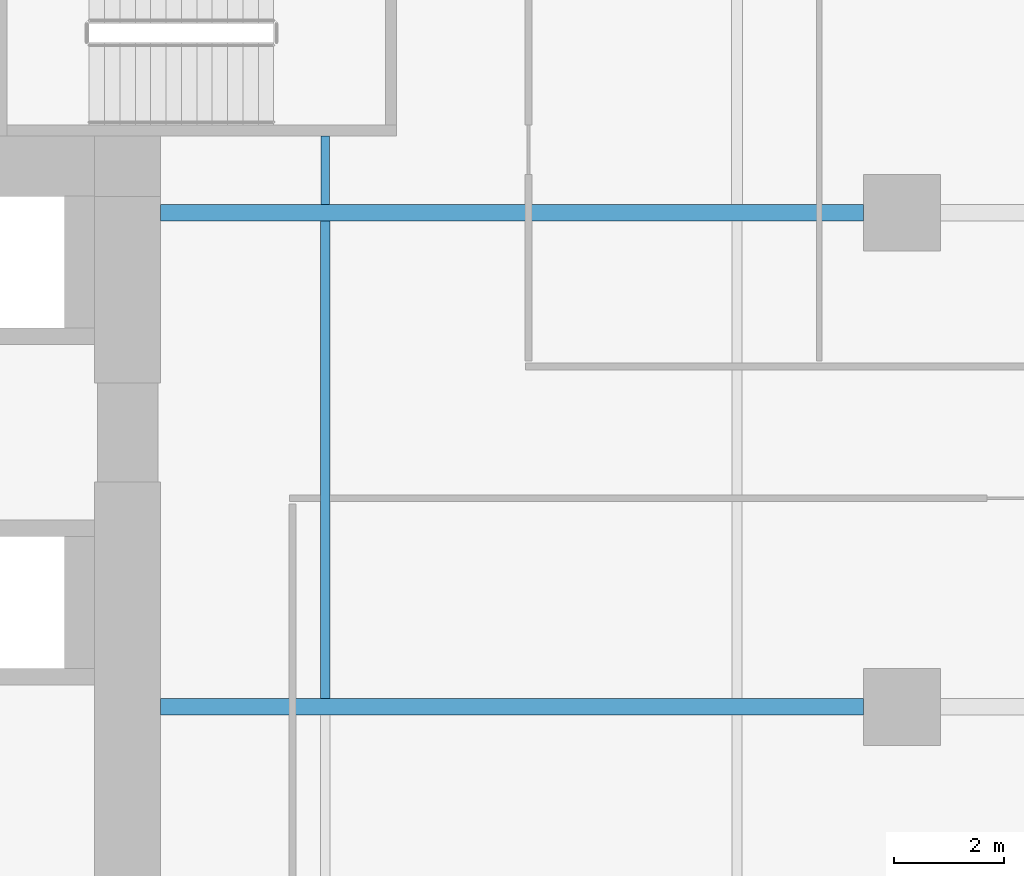
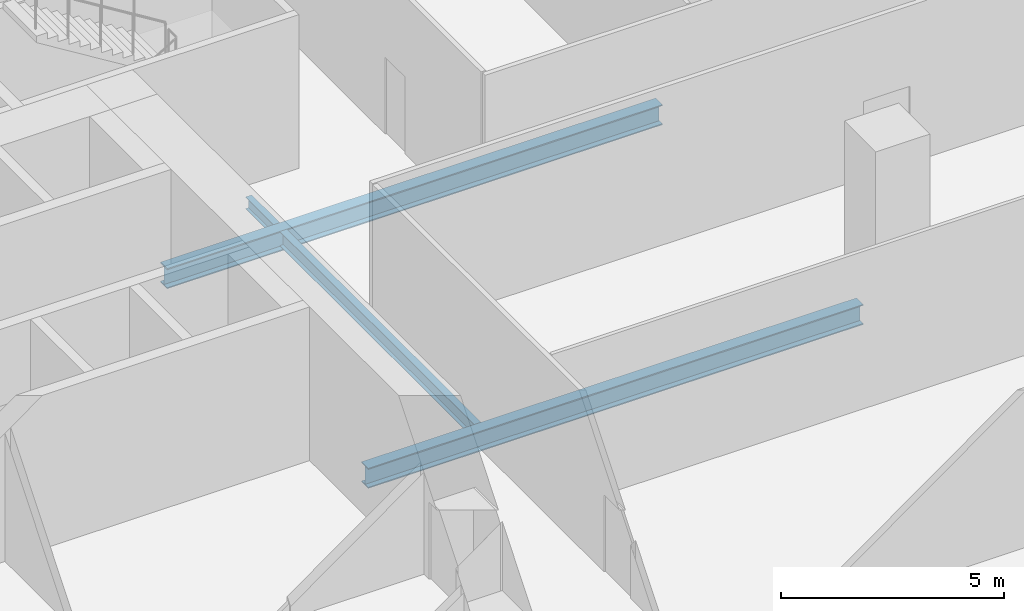
# One storey, part 13 of 32: 4 beams.
"""IFC4 building model written with IfcOpenShell, lengths in metres."""

from ifc_helpers import new_model, si_unit, direction, frame, origin, origin_2d, place, context, subcontext, project, spatial, i_section, extrude, source, transform, mapped, material, material_profile, profile_set, type_object, element, save


model = new_model("IFC4")

# Units and contexts
model_context = context("Model", 3, precision=1e-05, world=origin(), true_north=direction((0.0, 1.0)))
body_context = subcontext(model_context, "Body", "Model", "MODEL_VIEW")
ifc_project = project(units=[si_unit("LENGTHUNIT", "METRE"), si_unit("AREAUNIT", "SQUARE_METRE"), si_unit("VOLUMEUNIT", "CUBIC_METRE"), si_unit("PLANEANGLEUNIT", "RADIAN"), si_unit("MASSUNIT", "GRAM", prefix="KILO")], contexts=[model_context])

# Site, building, storey
site_placement = place(None, origin())
site = spatial("IfcSite", under=ifc_project, at=site_placement, CompositionType="ELEMENT")
building_placement = place(site_placement, origin())
building = spatial("IfcBuilding", under=site, at=building_placement, Name="Khomas Fold Tower", CompositionType="ELEMENT")
storey_placement = place(building_placement, frame((0.0, 0.0, 64.5)))
storey = spatial("IfcBuildingStorey", under=building, at=storey_placement, Name="L13", CompositionType="ELEMENT", Elevation=64.5)

# Beams
ifc_material_1 = material(Name="Steel S355", Category="steel")
ifc_material_profile_1 = material_profile(ifc_material_1, i_section(OverallWidth=0.300048828125, OverallDepth=0.550048828125, WebThickness=0.014892578125, FlangeThickness=0.029052734375, at=origin_2d()), Name="HE 550 B")
ifc_profile_set_1 = profile_set([ifc_material_profile_1], Name="Steel S355")
beam_type_1 = type_object("IfcBeamType", Name="HE 550 B beam GB4", PredefinedType="BEAM", material=ifc_profile_set_1)
shared_shape_1 = source(origin(), body_context, "Body", "SweptSolid", [
    extrude(i_section(OverallWidth=0.300048828125, OverallDepth=0.550048828125, WebThickness=0.014892578125, FlangeThickness=0.029052734375, at=origin_2d()), origin(), (0.0, 0.0, 1.0), 12.800048828125),
])
for number, where, z_axis, x_axis, name in (
    (1, (24.0, 31.5, -0.574951171875), (1.0, 0.0, 0.0), (0.0, 1.0, 0.0), "GB4"),
    (2, (24.0, 40.5, -0.574951171875), (1.0, 0.0, 0.0), (0.0, 1.0, 0.0), "GB4"),
):
    element("IfcBeam", number, at=place(storey_placement, frame(where, z_axis=z_axis, x_axis=x_axis)), inside=storey, type_object=beam_type_1, Name=name, PredefinedType="BEAM", context=body_context, shape_type="MappedRepresentation", body=[
        mapped(shared_shape_1, transform((0.0, 0.0, 0.0))),
    ])
ifc_material_2 = material(Name="Steel S355", Category="steel")
ifc_material_profile_2 = material_profile(ifc_material_2, i_section(OverallWidth=0.179931640625, OverallDepth=0.39990234375, WebThickness=0.008544921875, FlangeThickness=0.013427734375, at=origin_2d()), Name="IPE 400")
ifc_profile_set_2 = profile_set([ifc_material_profile_2], Name="Steel S355")
beam_type_2 = type_object("IfcBeamType", Name="IPE 400 beam JB3", PredefinedType="BEAM", material=ifc_profile_set_2)
shared_shape_2 = source(origin(), body_context, "Body", "SweptSolid", [
    extrude(i_section(OverallWidth=0.179931640625, OverallDepth=0.39990234375, WebThickness=0.008544921875, FlangeThickness=0.013427734375, at=origin_2d()), origin(), (0.0, 0.0, 1.0), 8.7001953125),
])
beam_1_placement = place(storey_placement, frame((27.0, 31.64990234375, -0.5), z_axis=(0.0, 1.0, 0.0), x_axis=(-1.0, 0.0, 0.0)))
element("IfcBeam", 3, at=beam_1_placement, inside=storey, type_object=beam_type_2, Name="JB3", PredefinedType="BEAM", context=body_context, shape_type="MappedRepresentation", body=[
    mapped(shared_shape_2, transform((0.0, 0.0, 0.0))),
])
ifc_material_3 = material(Name="Steel S355", Category="steel")
ifc_material_profile_3 = material_profile(ifc_material_3, i_section(OverallWidth=0.159912109375, OverallDepth=0.330078125, WebThickness=0.007568359375, FlangeThickness=0.011474609375, at=origin_2d()), Name="IPE 330")
ifc_profile_set_3 = profile_set([ifc_material_profile_3], Name="Steel S355")
beam_type_3 = type_object("IfcBeamType", Name="IPE 330 beam JB1", PredefinedType="BEAM", material=ifc_profile_set_3)
shared_shape_3 = source(origin(), body_context, "Body", "SweptSolid", [
    extrude(i_section(OverallWidth=0.159912109375, OverallDepth=0.330078125, WebThickness=0.007568359375, FlangeThickness=0.011474609375, at=origin_2d()), origin(), (0.0, 0.0, 1.0), 1.25),
])
beam_2_placement = place(storey_placement, frame((27.0, 40.64990234375, -0.465087890625), z_axis=(0.0, 1.0, 0.0), x_axis=(-1.0, 0.0, 0.0)))
element("IfcBeam", 4, at=beam_2_placement, inside=storey, type_object=beam_type_3, Name="JB1", PredefinedType="BEAM", context=body_context, shape_type="MappedRepresentation", body=[
    mapped(shared_shape_3, transform((0.0, 0.0, 0.0))),
])

save(model, "model.ifc")
